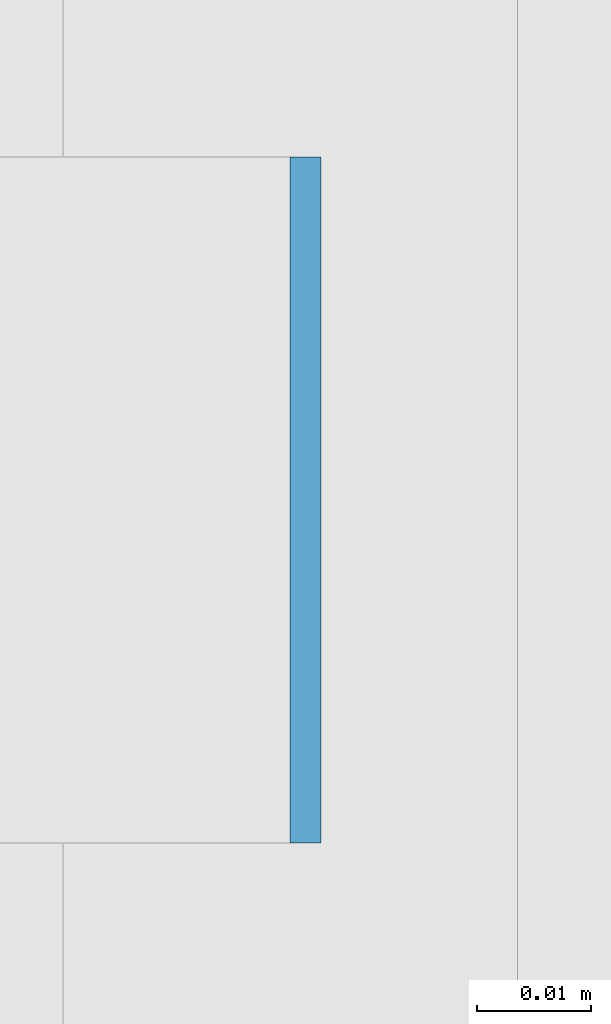
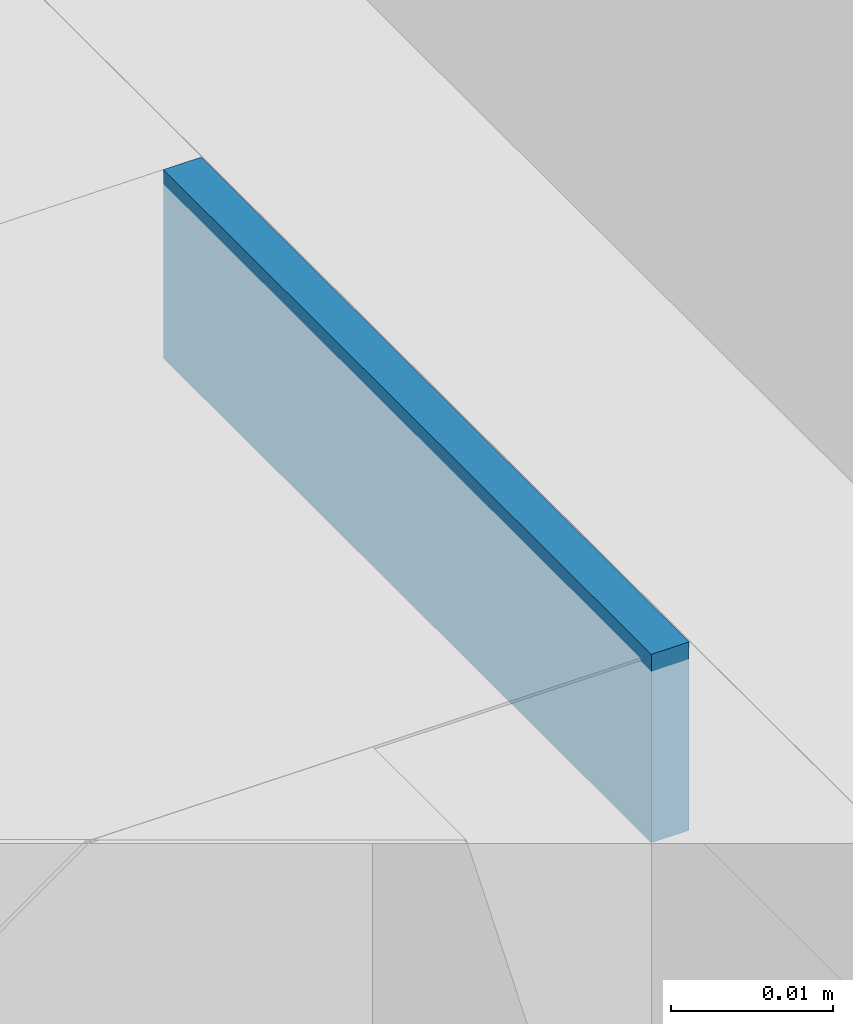
# One storey, part 309 of 646: 1 discrete accessory.
"""IFC4 building model written with IfcOpenShell, lengths in metres."""

from ifc_helpers import new_model, si_unit, direction, frame, origin, origin_2d, place, context, subcontext, project, spatial, rectangle, extrude, material, type_object, element, save


model = new_model("IFC4")

# Units and contexts
model_context = context("Model", 3, precision=1e-05, world=origin(), true_north=direction((0.0, 1.0)))
body_context = subcontext(model_context, "Body", "Model", "MODEL_VIEW")
ifc_project = project(units=[si_unit("LENGTHUNIT", "METRE"), si_unit("AREAUNIT", "SQUARE_METRE"), si_unit("VOLUMEUNIT", "CUBIC_METRE"), si_unit("PLANEANGLEUNIT", "RADIAN"), si_unit("MASSUNIT", "GRAM", prefix="KILO")], contexts=[model_context])

# Site, building, storey
site_placement = place(None, origin())
site = spatial("IfcSite", under=ifc_project, at=site_placement, CompositionType="ELEMENT")
building_placement = place(site_placement, origin())
building = spatial("IfcBuilding", under=site, at=building_placement, Name="Silverbay Arena", CompositionType="ELEMENT")
storey_placement = place(building_placement, frame((0.0, 0.0, 33.5)))
storey = spatial("IfcBuildingStorey", under=building, at=storey_placement, Name="L05", CompositionType="ELEMENT", Elevation=33.5)

# Discrete accessory
ifc_material = material(Name="Steel S355", Category="steel")
discrete_accessory_type = type_object("IfcDiscreteAccessoryType", Name="Steel bracket plate", PredefinedType="BRACKET", material=ifc_material)
discrete_accessory_placement = place(storey_placement, frame((53.871337890625, 68.142822265625, 12.98583984375), z_axis=(0.0, 0.0, 1.0), x_axis=(1.0, 0.0, 0.0)))
element("IfcDiscreteAccessory", 1, at=discrete_accessory_placement, inside=storey, type_object=discrete_accessory_type, Name="Curtain wall packing plate", PredefinedType="BRACKET", context=body_context, shape_type="SweptSolid", body=[
    extrude(rectangle(XDim=0.002685546875, YDim=0.06005859375, at=origin_2d()), origin(), (0.0, 0.0, 1.0), 0.01416015625),
])

save(model, "model.ifc")
